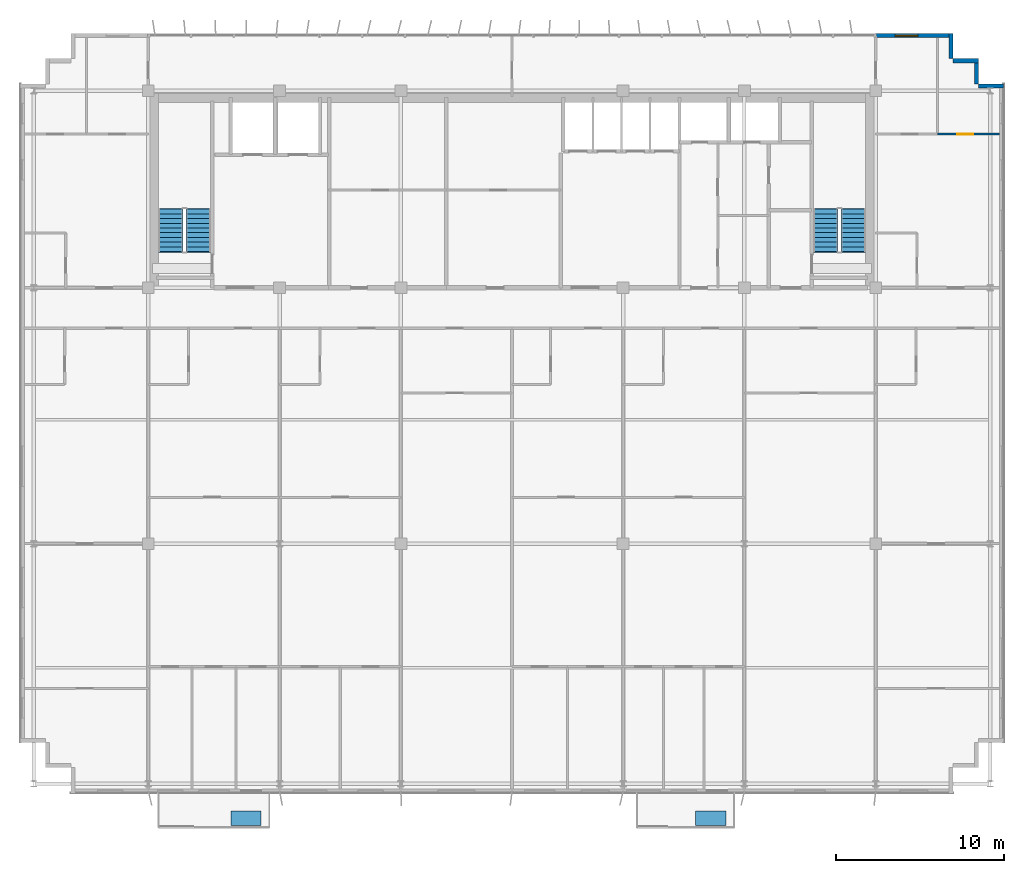
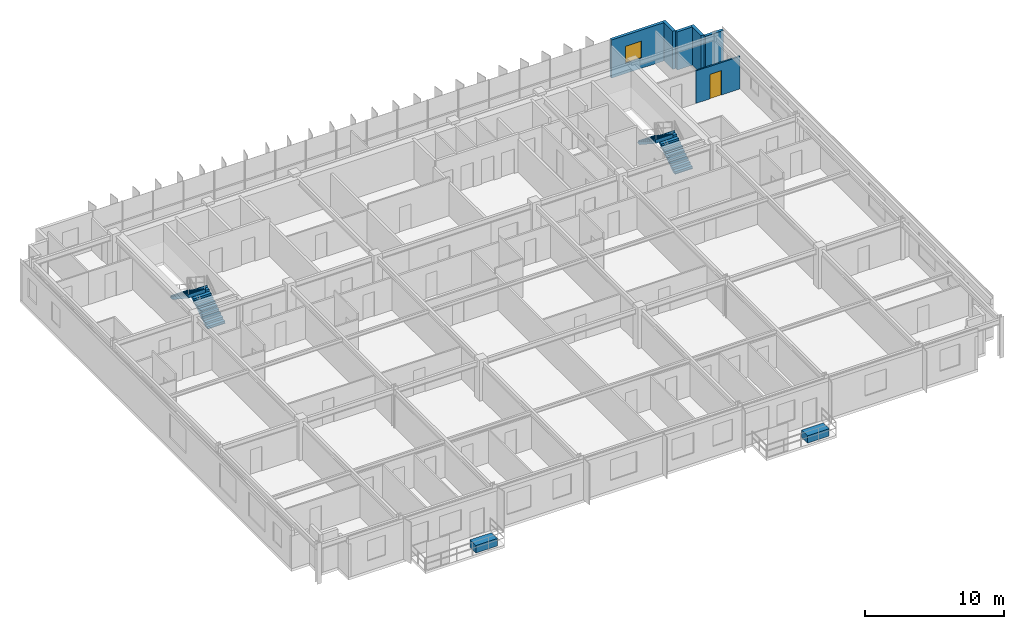
# One storey, part 21 of 23: 6 walls, 4 stair flights, 2 discrete accessories, 1 door, 1 window, 2 openings, 2 elements without a shape of their own.
"""IFC4 building model written with IfcOpenShell, lengths in metres."""

import ifcopenshell
import ifcopenshell.guid

model = None  # the IFC model being written
_history = None  # IfcOwnerHistory: only IFC2X3 demands one
_inside = {}  # id of a spatial element -> (the spatial element, [elements in it])
_under = {}  # id of a project, library or spatial element -> (it, [spatial elements below it])
_declared = {}  # id of a project -> (the project, [libraries it declares])
_typed = {}  # id of a type object -> (the type object, [elements of that type])
_made_of = {}  # id of a material, layer set ... -> (it, [elements and type objects made of it])


def new_model(schema):
    """Start an empty IFC model of exactly this schema.

    Asked for "IFC4X3", IfcOpenShell would pick the latest addendum, in which some entities
    have other attributes; the version numbers below select the first issue.
    IFC2X3 requires an IfcOwnerHistory on every rooted entity: one is made here for all.
    """
    global model, _history
    if schema == "IFC4X3":
        model = ifcopenshell.file(schema_version=(4, 3, 0, 0))
    else:
        model = ifcopenshell.file(schema=schema)
    _inside.clear()
    _under.clear()
    _declared.clear()
    _typed.clear()
    _made_of.clear()
    _history = None
    if model.schema == "IFC2X3":
        org = make("IfcOrganization", Name="unknown")
        user = make(
            "IfcPersonAndOrganization",
            ThePerson=make("IfcPerson", FamilyName="unknown"),
            TheOrganization=org,
        )
        app = make(
            "IfcApplication",
            ApplicationDeveloper=org,
            Version="unknown",
            ApplicationFullName="unknown",
            ApplicationIdentifier="unknown",
        )
        _history = make(
            "IfcOwnerHistory",
            OwningUser=user,
            OwningApplication=app,
            ChangeAction="ADDED",
            CreationDate=0,
        )
    return model


def make(cls, **values):
    """One entity of the class cls with the attributes given. An attribute that is None is left unset."""
    return model.create_entity(
        cls, **{name: value for name, value in values.items() if value is not None}
    )


def rooted(cls, **values):
    """An entity with a GlobalId (a new one), such as an element, a storey or a relation."""
    return make(cls, GlobalId=ifcopenshell.guid.new(), OwnerHistory=_history, **values)


def si_unit(unit_type, name, prefix=None):
    """IfcSIUnit, for example si_unit("LENGTHUNIT", "METRE", prefix="MILLI")."""
    return make("IfcSIUnit", UnitType=unit_type, Prefix=prefix, Name=name)


def assignment(units):
    """IfcUnitAssignment: the units of a project."""
    return None if units is None else make("IfcUnitAssignment", Units=units)


def point(xyz):
    """IfcCartesianPoint."""
    return None if xyz is None else make("IfcCartesianPoint", Coordinates=xyz)


def direction(xyz):
    """IfcDirection."""
    return None if xyz is None else make("IfcDirection", DirectionRatios=xyz)


def frame(location, z_axis=None, x_axis=None):
    """IfcAxis2Placement3D, a coordinate frame: its origin and axes. An axis left out is left unset."""
    return make(
        "IfcAxis2Placement3D",
        Location=point(location),
        Axis=direction(z_axis),
        RefDirection=direction(x_axis),
    )


def frame_2d(location, x_axis=None):
    """IfcAxis2Placement2D, a coordinate frame in the plane: its origin and x axis."""
    return make(
        "IfcAxis2Placement2D", Location=point(location), RefDirection=direction(x_axis)
    )


def origin():
    """The frame at (0, 0, 0) with its axes left unset."""
    return frame((0.0, 0.0, 0.0))


def origin_2d():
    """The frame at (0, 0) in the plane with its x axis left unset."""
    return frame_2d((0.0, 0.0))


def place(relative_to, where):
    """IfcLocalPlacement: puts the frame where relative to a parent placement (None: the world)."""
    return make(
        "IfcLocalPlacement", PlacementRelTo=relative_to, RelativePlacement=where
    )


def context(
    kind, dimensions, precision=None, world=None, true_north=None, identifier=None
):
    """IfcGeometricRepresentationContext, for example the 3D "Model" context."""
    return make(
        "IfcGeometricRepresentationContext",
        ContextIdentifier=identifier,
        ContextType=kind,
        CoordinateSpaceDimension=dimensions,
        Precision=precision,
        WorldCoordinateSystem=world,
        TrueNorth=true_north,
    )


def subcontext(parent, identifier, kind, view, scale=None):
    """IfcGeometricRepresentationSubContext, for example "Body" below "Model"."""
    return make(
        "IfcGeometricRepresentationSubContext",
        ContextIdentifier=identifier,
        ContextType=kind,
        ParentContext=parent,
        TargetScale=scale,
        TargetView=view,
    )


def project(units=None, contexts=None):
    """IfcProject with its units and contexts."""
    return rooted(
        "IfcProject",
        Name="project",
        RepresentationContexts=contexts,
        UnitsInContext=assignment(units),
    )


def spatial(cls, under=None, at=None, **own):
    """A site, building, storey or space (cls), placed at a placement, below another one or the project."""
    s = rooted(cls, ObjectPlacement=at, **own)
    if under is not None:
        _under.setdefault(under.id(), (under, []))[1].append(s)
    return s


def polyline(points):
    """IfcPolyline through the points."""
    return make("IfcPolyline", Points=[point(p) for p in points])


def profile(cls, at=None, kind="AREA", **sizes):
    """A parametric profile (cls). Its sizes go by their IFC names, for example OverallWidth=200.0."""
    return make(cls, ProfileType=kind, Position=at, **sizes)


def rectangle(**sizes):
    """IfcRectangleProfileDef."""
    return profile("IfcRectangleProfileDef", **sizes)


def outline(outer, holes=None, kind="AREA"):
    """IfcArbitraryClosedProfileDef: a profile drawn as a closed curve; with holes, ...WithVoids."""
    if holes is None:
        return make("IfcArbitraryClosedProfileDef", ProfileType=kind, OuterCurve=outer)
    return make(
        "IfcArbitraryProfileDefWithVoids",
        ProfileType=kind,
        OuterCurve=outer,
        InnerCurves=holes,
    )


def extrude(swept, where, along, depth):
    """IfcExtrudedAreaSolid: the profile swept, set in the frame where, extruded along a direction by depth."""
    return make(
        "IfcExtrudedAreaSolid",
        SweptArea=swept,
        Position=where,
        ExtrudedDirection=direction(along),
        Depth=depth,
    )


def shape(context_of_items, identifier, shape_type, items):
    """IfcShapeRepresentation: the items that make up one representation, for example the "Body"."""
    return make(
        "IfcShapeRepresentation",
        ContextOfItems=context_of_items,
        RepresentationIdentifier=identifier,
        RepresentationType=shape_type,
        Items=items,
    )


def source(mapping_origin, context_of_items, identifier, shape_type, items):
    """IfcRepresentationMap: a shape defined once, which mapped items show again and again."""
    return make(
        "IfcRepresentationMap",
        MappingOrigin=mapping_origin,
        MappedRepresentation=shape(context_of_items, identifier, shape_type, items),
    )


def transform(
    local_origin,
    x_axis=None,
    y_axis=None,
    z_axis=None,
    scale=None,
    scale2=None,
    scale3=None,
    uniform=True,
):
    """IfcCartesianTransformationOperator3D, or its non-uniform kind. x_axis, y_axis, z_axis: its Axis1, 2, 3."""
    if uniform:
        return make(
            "IfcCartesianTransformationOperator3D",
            Axis1=direction(x_axis),
            Axis2=direction(y_axis),
            LocalOrigin=point(local_origin),
            Scale=scale,
            Axis3=direction(z_axis),
        )
    return make(
        "IfcCartesianTransformationOperator3DnonUniform",
        Axis1=direction(x_axis),
        Axis2=direction(y_axis),
        LocalOrigin=point(local_origin),
        Scale=scale,
        Axis3=direction(z_axis),
        Scale2=scale2,
        Scale3=scale3,
    )


def mapped(mapping_source, mapping_target):
    """IfcMappedItem: shows the shape of a source again, moved by a transform."""
    return make(
        "IfcMappedItem", MappingSource=mapping_source, MappingTarget=mapping_target
    )


def material(Name=None, Category=None):
    """IfcMaterial."""
    return make("IfcMaterial", Name=Name, Category=Category)


def layer(
    of_material, thickness, ventilated=None, Name=None, Category=None, Priority=None
):
    """IfcMaterialLayer: one layer of a wall or slab, of a material (None: an air gap)."""
    return make(
        "IfcMaterialLayer",
        Material=of_material,
        LayerThickness=thickness,
        IsVentilated=ventilated,
        Name=Name,
        Category=Category,
        Priority=Priority,
    )


def layer_set(layers, Name=None):
    """IfcMaterialLayerSet."""
    return make("IfcMaterialLayerSet", MaterialLayers=layers, LayerSetName=Name)


def made_of(thing, what):
    """Note that an element or type object is made of a material, layer set ...; save() writes the relation."""
    if what is not None:
        _made_of.setdefault(what.id(), (what, []))[1].append(thing)
    return thing


def type_object(cls, material=None, **own):
    """A type object (cls), such as IfcWallType, which elements share."""
    return made_of(rooted(cls, **own), material)


def element(
    cls,
    number,
    at=None,
    inside=None,
    cuts=None,
    type_object=None,
    material=None,
    context=None,
    identifier="Body",
    shape_type=None,
    held_by="IfcProductDefinitionShape",
    body=None,
    shapes=None,
    **own,
):
    """One element of the class cls, such as IfcWall. Its Tag is "e" and its number.

    at: its placement. inside: the storey or other place that contains it. cuts: it is an
    opening in that element (IfcRelVoidsElement). A single representation is given by context,
    identifier, shape_type and body (its items); several are given by shapes. held_by: the class
    of the entity that holds the representations. save() writes the other relations.
    """
    e = rooted(cls, Tag="e%d" % number, ObjectPlacement=at, **own)
    if body is not None:
        shapes = [shape(context, identifier, shape_type, body)]
    if shapes is not None:
        e.Representation = make(held_by, Representations=shapes)
    if inside is not None:
        _inside.setdefault(inside.id(), (inside, []))[1].append(e)
    if cuts is not None:
        rooted(
            "IfcRelVoidsElement", RelatingBuildingElement=cuts, RelatedOpeningElement=e
        )
    if type_object is not None:
        _typed.setdefault(type_object.id(), (type_object, []))[1].append(e)
    return made_of(e, material)


def fill(opening, filler):
    """IfcRelFillsElement: the door or window that sits in an opening."""
    return rooted(
        "IfcRelFillsElement",
        RelatingOpeningElement=opening,
        RelatedBuildingElement=filler,
    )


def aggregate(whole, parts):
    """IfcRelAggregates: a whole, such as a stair, and the parts it consists of."""
    return rooted("IfcRelAggregates", RelatingObject=whole, RelatedObjects=parts)


def save(model, path):
    """Write the relations noted so far, then the file.

    IfcRelAggregates (storeys below a building ...), IfcRelContainedInSpatialStructure (elements
    in a storey), IfcRelDefinesByType, IfcRelAssociatesMaterial and IfcRelDeclares: one each for
    every whole, place, type object, material and project.
    """
    for whole, parts in _under.values():
        aggregate(whole, parts)
    for where, things in _inside.values():
        rooted(
            "IfcRelContainedInSpatialStructure",
            RelatedElements=things,
            RelatingStructure=where,
        )
    for kind, things in _typed.values():
        rooted("IfcRelDefinesByType", RelatedObjects=things, RelatingType=kind)
    for what, things in _made_of.values():
        rooted("IfcRelAssociatesMaterial", RelatedObjects=things, RelatingMaterial=what)
    for by, libraries in _declared.values():
        rooted("IfcRelDeclares", RelatingContext=by, RelatedDefinitions=libraries)
    model.write(path)


model = new_model("IFC4")

# Units and contexts
model_context = context("Model", 3, precision=1e-05, world=origin(), true_north=direction((0.0, 1.0)))
body_context = subcontext(model_context, "Body", "Model", "MODEL_VIEW")
ifc_project = project(units=[si_unit("LENGTHUNIT", "METRE"), si_unit("AREAUNIT", "SQUARE_METRE"), si_unit("VOLUMEUNIT", "CUBIC_METRE"), si_unit("PLANEANGLEUNIT", "RADIAN"), si_unit("MASSUNIT", "GRAM", prefix="KILO")], contexts=[model_context])

# Site, building, storey
site_placement = place(None, origin())
site = spatial("IfcSite", under=ifc_project, at=site_placement, CompositionType="ELEMENT")
building_placement = place(site_placement, origin())
building = spatial("IfcBuilding", under=site, at=building_placement, Name="Trelvane Seafront Commons", CompositionType="ELEMENT")
storey_placement = place(building_placement, frame((0.0, 0.0, 226.5)))
storey = spatial("IfcBuildingStorey", under=building, at=storey_placement, Name="L59", CompositionType="ELEMENT", Elevation=226.5)

# Wall, opening, window
ifc_material_1 = material(Name="Precast concrete C40/50", Category="concrete")
ifc_layer_1 = layer(ifc_material_1, 0.239990234375, Name="ARCH-WALL-EXT240")
ifc_layer_set_1 = layer_set([ifc_layer_1], Name="Precast concrete C40/50")
wall_type_1 = type_object("IfcWallType", Name="ARCH-WALL-EXT240", PredefinedType="SOLIDWALL", material=ifc_layer_set_1)
wall_1_placement = place(storey_placement, frame((58.800048828125, 48.3701171875, 0.0), z_axis=(0.0, 0.0, 1.0), x_axis=(1.0, 0.0, 0.0)))
wall_1 = element("IfcWall", 1, at=wall_1_placement, inside=storey, type_object=wall_type_1, Name="EW-L59-NE-1184", PredefinedType="SOLIDWALL", context=body_context, shape_type="SweptSolid", body=[
    extrude(rectangle(XDim=4.5, YDim=0.239990234375, at=frame_2d((2.25, 0.0))), origin(), (0.0, 0.0, 1.0), 3.360107421875),
])
opening_1_placement = place(wall_1_placement, frame((1.14697265625, 0.0, 0.89990234375)))
opening_1 = element("IfcOpeningElement", 2, at=opening_1_placement, cuts=wall_1, Name="Opening W09", PredefinedType="OPENING", context=body_context, shape_type="SweptSolid", body=[
    extrude(rectangle(XDim=1.35009765625, YDim=1.5, at=frame_2d((0.675048828125, 0.75))), frame((0.0, 0.1298828125, 0.0), z_axis=(0.0, -1.0, 0.0), x_axis=(1.0, 0.0, 0.0)), (0.0, 0.0, 1.0), 0.260009765625),
])
ifc_material_2 = material(Name="Low-E coastal double glazing", Category="glass")
window_type = type_object("IfcWindowType", Name="ARCH-WIN-W09", PartitioningType="SINGLE_PANEL", PredefinedType="WINDOW", material=ifc_material_2)
shared_shape_1 = source(origin(), body_context, "Body", "SweptSolid", [
    extrude(rectangle(XDim=1.35009765625, YDim=1.5, at=frame_2d((0.675048828125, 0.75))), frame((0.0, 0.030029296875, 0.0), z_axis=(0.0, -1.0, 0.0), x_axis=(1.0, 0.0, 0.0)), (0.0, 0.0, 1.0), 0.06005859375),
])
window_placement = place(opening_1_placement, origin())
window = element("IfcWindow", 3, at=window_placement, inside=storey, type_object=window_type, Name="WIN-L59-01437", OverallHeight=1.5, OverallWidth=1.35009765625, PartitioningType="SINGLE_PANEL", PredefinedType="WINDOW", context=body_context, shape_type="MappedRepresentation", body=[
    mapped(shared_shape_1, transform((0.0, 0.0, 0.0), x_axis=(1.0, 0.0, 0.0), y_axis=(0.0, 1.0, 0.0), z_axis=(0.0, 0.0, 1.0), scale=1.0)),
])
fill(opening_1, window)

# Walls
for number, where, z_axis, x_axis, name in (
    (4, (63.280029296875, 48.5, 0.0), (0.0, 0.0, 1.0), (0.0, -1.0, 0.0), "EW-L59-01193"),
    (5, (63.39990234375, 46.8798828125, 0.0), (0.0, 0.0, 1.0), (1.0, 0.0, 0.0), "EW-L59-01194"),
    (6, (64.780029296875, 47.0, 0.0), (0.0, 0.0, 1.0), (0.0, -1.0, 0.0), "EW-L59-01195"),
    (7, (64.89990234375, 45.3798828125, 0.0), (0.0, 0.0, 1.0), (1.0, 0.0, 0.0), "EW-L59-01196"),
):
    element("IfcWall", number, at=place(storey_placement, frame(where, z_axis=z_axis, x_axis=x_axis)), inside=storey, type_object=wall_type_1, Name=name, PredefinedType="SOLIDWALL", context=body_context, shape_type="SweptSolid", body=[
        extrude(rectangle(XDim=1.5, YDim=0.239990234375, at=frame_2d((0.75, 0.0))), origin(), (0.0, 0.0, 1.0), 3.360107421875),
    ])

# Wall, opening, door
ifc_material_3 = material(Name="Gypsum Drywall Acoustic Partition")
ifc_layer_2 = layer(ifc_material_3, 0.1201171875, Name="ARCH-WALL-PART120")
ifc_layer_set_2 = layer_set([ifc_layer_2], Name="Gypsum Drywall Acoustic Partition")
wall_type_2 = type_object("IfcWallType", Name="ARCH-WALL-PART120", PredefinedType="PARTITIONING", material=ifc_layer_set_2)
wall_2_placement = place(storey_placement, frame((62.47509765625, 42.52001953125, 0.0), z_axis=(0.0, 0.0, 1.0), x_axis=(1.0, 0.0, 0.0)))
wall_2 = element("IfcWall", 8, at=wall_2_placement, inside=storey, type_object=wall_type_2, Name="W-L59-NE-KB2-044", PredefinedType="PARTITIONING", context=body_context, shape_type="SweptSolid", body=[
    extrude(rectangle(XDim=3.6748046875, YDim=0.1201171875, at=frame_2d((1.83740234375, 0.0))), origin(), (0.0, 0.0, 1.0), 2.860107421875),
])
opening_2_placement = place(wall_2_placement, frame((1.166015625, 0.0, 0.0)))
opening_2 = element("IfcOpeningElement", 9, at=opening_2_placement, cuts=wall_2, Name="Opening D-L59-28", PredefinedType="OPENING", context=body_context, shape_type="SweptSolid", body=[
    extrude(rectangle(XDim=0.949951171875, YDim=2.14990234375, at=frame_2d((0.47509765625, 1.074951171875))), frame((0.0, 0.070068359375, 0.0), z_axis=(0.0, -1.0, 0.0), x_axis=(1.0, 0.0, 0.0)), (0.0, 0.0, 1.0), 0.14013671875),
])
ifc_material_4 = material(Name="Acoustic timber door leaf", Category="wood")
door_type = type_object("IfcDoorType", Name="ARCH-DR-INT950", OperationType="NOTDEFINED", PredefinedType="DOOR", material=ifc_material_4)
shared_shape_2 = source(origin(), body_context, "Body", "SweptSolid", [
    extrude(rectangle(XDim=0.949951171875, YDim=2.14990234375, at=frame_2d((0.47509765625, 1.074951171875))), frame((0.0, 0.02490234375, 0.0), z_axis=(0.0, -1.0, 0.0), x_axis=(1.0, 0.0, 0.0)), (0.0, 0.0, 1.0), 0.050048828125),
])
door_placement = place(opening_2_placement, origin())
door = element("IfcDoor", 10, at=door_placement, inside=storey, type_object=door_type, Name="L59 Door 28", OperationType="SINGLE_SWING_RIGHT", OverallHeight=2.14990234375, OverallWidth=0.949951171875, PredefinedType="DOOR", context=body_context, shape_type="MappedRepresentation", body=[
    mapped(shared_shape_2, transform((0.0, 0.0, 0.0), x_axis=(1.0, 0.0, 0.0), y_axis=(0.0, 1.0, 0.0), z_axis=(0.0, 0.0, 1.0), scale=1.0)),
])
fill(opening_2, door)

# Stair, stair flights
ifc_material_5 = material(Name="Concrete C40/50", Category="concrete")
stair_type_1 = type_object("IfcStairType", Name="ARCH-STR-ST-1-R20-180", PredefinedType="HALF_TURN_STAIR", material=ifc_material_5)
stair_1_placement = place(storey_placement, origin())
stair_1 = element("IfcStair", 11, at=stair_1_placement, inside=storey, type_object=stair_type_1, Name="L59 West Protected Firefighting Exit Stair ST-1", PredefinedType="HALF_TURN_STAIR")
stair_flight_type_1 = type_object("IfcStairFlightType", Name="ARCH-FLG-ST-1-R20-180", PredefinedType="STRAIGHT", material=ifc_material_5)
shared_shape_3 = source(origin(), body_context, "Body", "SweptSolid", [
    extrude(outline(polyline([(-0.050048828125, -0.02001953125), (-0.050048828125, 0.0), (0.0, 0.0), (0.0, 0.179931640625), (0.280029296875, 0.179931640625), (0.280029296875, 0.360107421875), (0.56005859375, 0.360107421875), (0.56005859375, 0.5400390625), (0.840087890625, 0.5400390625), (0.840087890625, 0.719970703125), (1.1201171875, 0.719970703125), (1.1201171875, 0.89990234375), (1.39990234375, 0.89990234375), (1.39990234375, 1.080078125), (1.679931640625, 1.080078125), (1.679931640625, 1.260009765625), (1.9599609375, 1.260009765625), (1.9599609375, 1.43994140625), (2.239990234375, 1.43994140625), (2.239990234375, 1.6201171875), (2.52001953125, 1.6201171875), (2.52001953125, 1.800048828125), (2.570068359375, 1.800048828125), (2.570068359375, 1.650146484375), (2.52001953125, 1.44189453125), (0.277099609375, -0.02001953125), (-0.050048828125, -0.02001953125)])), frame((0.0, 0.72509765625, 0.0), z_axis=(0.0, -1.0, 0.0), x_axis=(1.0, 0.0, 0.0)), (0.0, 0.0, 1.0), 1.449951171875),
])
stair_flight_1_placement = place(storey_placement, frame((18.574951171875, 35.550048828125, 0.0), z_axis=(0.0, 0.0, 1.0), x_axis=(0.0, 1.0, 0.0)))
stair_flight_1 = element("IfcStairFlight", 12, at=stair_flight_1_placement, type_object=stair_flight_type_1, Name="ST-1 flight 1", NumberOfRisers=10, NumberOfTreads=9, PredefinedType="STRAIGHT", RiserHeight=0.18, TreadLength=0.28, context=body_context, shape_type="MappedRepresentation", body=[
    mapped(shared_shape_3, transform((0.0, 0.0, 0.0), x_axis=(1.0, 0.0, 0.0), y_axis=(0.0, 1.0, 0.0), z_axis=(0.0, 0.0, 1.0), scale=1.0)),
])
stair_flight_2_placement = place(storey_placement, frame((16.925048828125, 38.070068359375, 1.800048828125), z_axis=(0.0, 0.0, 1.0), x_axis=(0.0, -1.0, 0.0)))
stair_flight_2 = element("IfcStairFlight", 13, at=stair_flight_2_placement, type_object=stair_flight_type_1, Name="ST-1 flight 2", NumberOfRisers=10, NumberOfTreads=9, PredefinedType="STRAIGHT", RiserHeight=0.18, TreadLength=0.28, context=body_context, shape_type="MappedRepresentation", body=[
    mapped(shared_shape_3, transform((0.0, 0.0, 0.0), x_axis=(1.0, 0.0, 0.0), y_axis=(0.0, 1.0, 0.0), z_axis=(0.0, 0.0, 1.0), scale=1.0)),
])
aggregate(stair_1, [stair_flight_1, stair_flight_2])

stair_type_2 = type_object("IfcStairType", Name="ARCH-STR-ST-2-R20-180", PredefinedType="HALF_TURN_STAIR", material=ifc_material_5)
stair_2_placement = place(storey_placement, origin())
stair_2 = element("IfcStair", 14, at=stair_2_placement, inside=storey, type_object=stair_type_2, Name="L59 East Protected Firefighting Exit Stair ST-2", PredefinedType="HALF_TURN_STAIR")
stair_flight_type_2 = type_object("IfcStairFlightType", Name="ARCH-FLG-ST-2-R20-180", PredefinedType="STRAIGHT", material=ifc_material_5)
stair_flight_3_placement = place(storey_placement, frame((57.47509765625, 35.550048828125, 0.0), z_axis=(0.0, 0.0, 1.0), x_axis=(0.0, 1.0, 0.0)))
stair_flight_3 = element("IfcStairFlight", 15, at=stair_flight_3_placement, type_object=stair_flight_type_2, Name="ST-2 flight 1", NumberOfRisers=10, NumberOfTreads=9, PredefinedType="STRAIGHT", RiserHeight=0.18, TreadLength=0.28, context=body_context, shape_type="MappedRepresentation", body=[
    mapped(shared_shape_3, transform((0.0, 0.0, 0.0), x_axis=(1.0, 0.0, 0.0), y_axis=(0.0, 1.0, 0.0), z_axis=(0.0, 0.0, 1.0), scale=1.0)),
])
stair_flight_4_placement = place(storey_placement, frame((55.824951171875, 38.070068359375, 1.800048828125), z_axis=(0.0, 0.0, 1.0), x_axis=(0.0, -1.0, 0.0)))
stair_flight_4 = element("IfcStairFlight", 16, at=stair_flight_4_placement, type_object=stair_flight_type_2, Name="ST-2 flight 2", NumberOfRisers=10, NumberOfTreads=9, PredefinedType="STRAIGHT", RiserHeight=0.18, TreadLength=0.28, context=body_context, shape_type="MappedRepresentation", body=[
    mapped(shared_shape_3, transform((0.0, 0.0, 0.0), x_axis=(1.0, 0.0, 0.0), y_axis=(0.0, 1.0, 0.0), z_axis=(0.0, 0.0, 1.0), scale=1.0)),
])
aggregate(stair_2, [stair_flight_3, stair_flight_4])

# Discrete accessories
discrete_accessory_type = type_object("IfcDiscreteAccessoryType", Name="ARCH-ACC-PLANTER", PredefinedType="USERDEFINED", material=ifc_material_1)
shared_shape_4 = source(origin(), body_context, "Body", "SweptSolid", [
    extrude(rectangle(XDim=1.800048828125, YDim=0.85009765625, at=origin_2d()), origin(), (0.0, 0.0, 1.0), 0.64990234375),
])
for number, where, z_axis, x_axis, name in (
    (17, (21.39990234375, 1.89990234375, 0.0), (0.0, 0.0, 1.0), (1.0, 0.0, 0.0), "PLN-L59-B0-063"),
    (18, (49.0, 1.89990234375, 0.0), (0.0, 0.0, 1.0), (1.0, 0.0, 0.0), "PLN-L59-B1-064"),
):
    element("IfcDiscreteAccessory", number, at=place(storey_placement, frame(where, z_axis=z_axis, x_axis=x_axis)), inside=storey, type_object=discrete_accessory_type, Name=name, ObjectType="BALCONY TREE PLANTER", PredefinedType="USERDEFINED", context=body_context, shape_type="MappedRepresentation", body=[
        mapped(shared_shape_4, transform((0.0, 0.0, 0.0), x_axis=(1.0, 0.0, 0.0), y_axis=(0.0, 1.0, 0.0), z_axis=(0.0, 0.0, 1.0), scale=1.0)),
    ])

save(model, "model.ifc")
